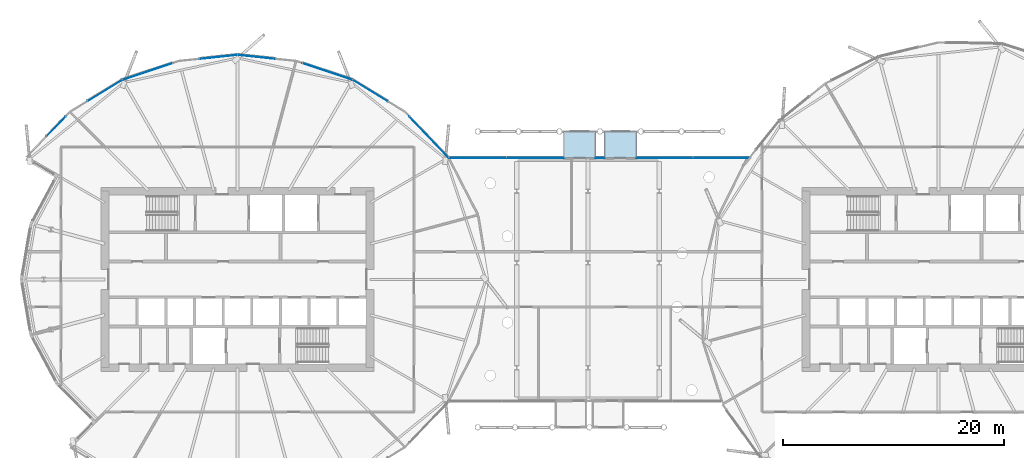
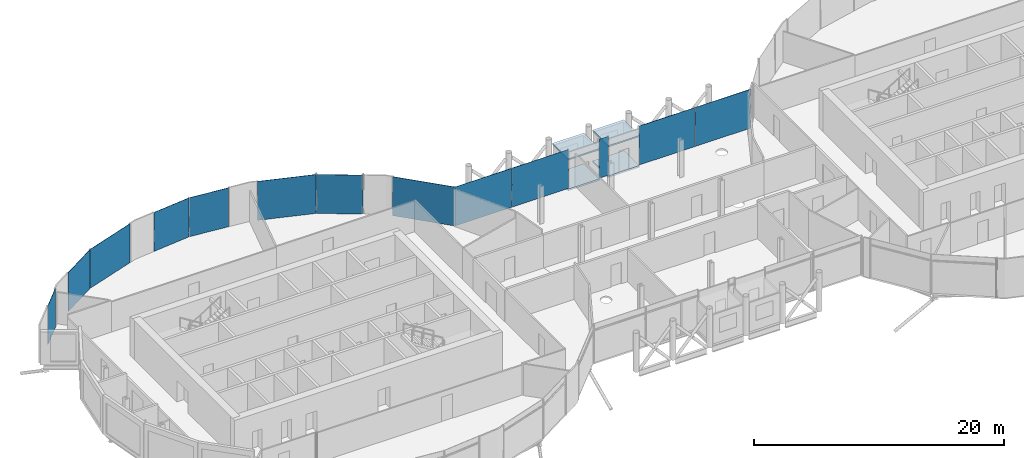
# One storey, part 21 of 39: 13 plates, 4 slabs, 2 elements without a shape of their own.
"""IFC4 building model written with IfcOpenShell, lengths in metres."""

from ifc_helpers import new_model, si_unit, direction, frame, origin, origin_2d, place, context, subcontext, project, spatial, polyline, rectangle, outline, extrude, material, layer, layer_set, type_object, element, aggregate, save


model = new_model("IFC4")

# Units and contexts
model_context = context("Model", 3, precision=1e-05, world=origin(), true_north=direction((0.0, 1.0)))
body_context = subcontext(model_context, "Body", "Model", "MODEL_VIEW")
ifc_project = project(units=[si_unit("LENGTHUNIT", "METRE"), si_unit("AREAUNIT", "SQUARE_METRE"), si_unit("VOLUMEUNIT", "CUBIC_METRE"), si_unit("PLANEANGLEUNIT", "RADIAN"), si_unit("MASSUNIT", "GRAM", prefix="KILO")], contexts=[model_context])

# Site, building, storey
site_placement = place(None, origin())
site = spatial("IfcSite", under=ifc_project, at=site_placement, CompositionType="ELEMENT")
building_placement = place(site_placement, origin())
building = spatial("IfcBuilding", under=site, at=building_placement, Name="Rimbun Link Towers", CompositionType="ELEMENT")
storey_placement = place(building_placement, frame((0.0, 0.0, 139.199951171875)))
storey = spatial("IfcBuildingStorey", under=building, at=storey_placement, Name="L33", CompositionType="ELEMENT", Elevation=139.199951171875)

# Slabs
ifc_material_1 = material(Name="Insulated metal floor panel on steel frame", Category="steel")
ifc_layer_1 = layer(ifc_material_1, 0.159912109375)
ifc_layer_set_1 = layer_set([ifc_layer_1], Name="CAPSULE floor panel 160")
slab_type_1 = type_object("IfcSlabType", Name="CAPSULE floor panel 160", PredefinedType="FLOOR", material=ifc_layer_set_1)
slab_1_placement = place(storey_placement, frame((0.0, 0.0, -0.219970703125)))
element("IfcSlab", 1, at=slab_1_placement, inside=storey, type_object=slab_type_1, Name="CAPSULE F33.01 floor panel", PredefinedType="FLOOR", context=body_context, shape_type="SweptSolid", body=[
    extrude(outline(polyline([(-2.203125, 11.0), (0.69677734375, 11.0), (0.69677734375, 13.449951171875), (-2.203125, 13.449951171875), (-2.203125, 11.0)])), origin(), (0.0, 0.0, 1.0), 0.159912109375),
])
slab_2_placement = place(storey_placement, frame((0.0, 0.0, -0.219970703125)))
element("IfcSlab", 2, at=slab_2_placement, inside=storey, type_object=slab_type_1, Name="CAPSULE F33.02 floor panel", PredefinedType="FLOOR", context=body_context, shape_type="SweptSolid", body=[
    extrude(outline(polyline([(1.48681640625, 11.0), (4.38671875, 11.0), (4.38671875, 13.449951171875), (1.48681640625, 13.449951171875), (1.48681640625, 11.0)])), origin(), (0.0, 0.0, 1.0), 0.159912109375),
])
ifc_material_2 = material(Name="Insulated metal roof panel with terracotta fascia", Category="masonry")
ifc_layer_2 = layer(ifc_material_2, 0.14990234375)
ifc_layer_set_2 = layer_set([ifc_layer_2], Name="CAPSULE roof panel 150")
slab_type_2 = type_object("IfcSlabType", Name="CAPSULE roof panel 150", PredefinedType="ROOF", material=ifc_layer_set_2)
slab_3_placement = place(storey_placement, frame((0.0, 0.0, 2.7900390625)))
element("IfcSlab", 3, at=slab_3_placement, inside=storey, type_object=slab_type_2, Name="CAPSULE F33.01 roof panel", PredefinedType="ROOF", context=body_context, shape_type="SweptSolid", body=[
    extrude(outline(polyline([(0.69677734375, 13.449951171875), (-2.203125, 13.449951171875), (-2.203125, 10.949951171875), (0.69677734375, 10.949951171875), (0.69677734375, 13.449951171875)])), origin(), (0.0, 0.0, 1.0), 0.14990234375),
])
slab_4_placement = place(storey_placement, frame((0.0, 0.0, 2.7900390625)))
element("IfcSlab", 4, at=slab_4_placement, inside=storey, type_object=slab_type_2, Name="CAPSULE F33.02 roof panel", PredefinedType="ROOF", context=body_context, shape_type="SweptSolid", body=[
    extrude(outline(polyline([(4.38671875, 13.449951171875), (1.48681640625, 13.449951171875), (1.48681640625, 10.949951171875), (4.38671875, 10.949951171875), (4.38671875, 13.449951171875)])), origin(), (0.0, 0.0, 1.0), 0.14990234375),
])

# Curtain wall, plate
ifc_material_3 = material(Name="Aluminium 6063-T6 and low-iron glass", Category="aluminium")
curtain_wall_type = type_object("IfcCurtainWallType", Name="CW4 link block wall", PredefinedType="NOTDEFINED", material=ifc_material_3)
curtain_wall_1_placement = place(storey_placement, origin())
curtain_wall_1 = element("IfcCurtainWall", 5, at=curtain_wall_1_placement, inside=storey, type_object=curtain_wall_type, Name="CW4 L33 LB", PredefinedType="NOTDEFINED")
ifc_material_4 = material(Name="Aluminium cladding, insulated panel", Category="aluminium")
ifc_layer_3 = layer(ifc_material_4, 0.028076171875)
ifc_layer_set_3 = layer_set([ifc_layer_3], Name="CW4 insulated panel Aluminium cladding 28")
plate_type_1 = type_object("IfcPlateType", Name="CW4 insulated panel Aluminium cladding 28", PredefinedType="CURTAIN_PANEL", material=ifc_layer_set_3)
plate_1_placement = place(storey_placement, frame((12.07958984375, 11.013916015625, 0.0), z_axis=(0.0, 0.0, 1.0), x_axis=(1.0, 0.0, 0.0)))
plate_1 = element("IfcPlate", 6, at=plate_1_placement, type_object=plate_type_1, Name="CW4 insulated panel", PredefinedType="CURTAIN_PANEL", context=body_context, shape_type="SweptSolid", body=[
    extrude(rectangle(XDim=5.1220703125, YDim=0.028076171875, at=origin_2d()), origin(), (0.0, 0.0, 1.0), 3.800048828125),
])

# Curtain wall, plates
curtain_wall_2_placement = place(storey_placement, origin())
curtain_wall_2 = element("IfcCurtainWall", 7, at=curtain_wall_2_placement, inside=storey, type_object=curtain_wall_type, Name="CW4 L33 T1", PredefinedType="NOTDEFINED")
ifc_material_5 = material(Name="Low-iron glass, laminated low-e unit", Category="glass")
ifc_layer_4 = layer(ifc_material_5, 0.028076171875)
ifc_layer_set_4 = layer_set([ifc_layer_4], Name="CW4 panel Low-iron glass 28")
plate_type_2 = type_object("IfcPlateType", Name="CW4 panel Low-iron glass 28", PredefinedType="CURTAIN_PANEL", material=ifc_layer_set_4)
plate_2_placement = place(storey_placement, frame((-14.419189453125, 12.90380859375, 0.0), z_axis=(0.0, 0.0, 1.0), x_axis=(0.692041109252, -0.721858090698, 0.0)))
plate_2 = element("IfcPlate", 8, at=plate_2_placement, type_object=plate_type_2, Name="CW4 panel", PredefinedType="CURTAIN_PANEL", context=body_context, shape_type="SweptSolid", body=[
    extrude(rectangle(XDim=5.12158203125, YDim=0.028076171875, at=origin_2d()), origin(), (0.0, 0.0, 1.0), 3.800048828125),
])
plate_3_placement = place(storey_placement, frame((-19.7197265625, 17.088623046875, 0.0), z_axis=(0.0, 0.0, 1.0), x_axis=(0.852194346217, -0.523225378089, 0.0)))
plate_3 = element("IfcPlate", 9, at=plate_3_placement, type_object=plate_type_2, Name="CW4 panel", PredefinedType="CURTAIN_PANEL", context=body_context, shape_type="SweptSolid", body=[
    extrude(rectangle(XDim=3.708740234375, YDim=0.028076171875, at=origin_2d()), origin(), (0.0, 0.0, 1.0), 3.800048828125),
])
plate_4_placement = place(storey_placement, frame((-23.60107421875, 18.82666015625, 0.0), z_axis=(0.0, 0.0, 1.0), x_axis=(0.949234953763, -0.314567961741, 0.0)))
plate_4 = element("IfcPlate", 10, at=plate_4_placement, type_object=plate_type_2, Name="CW4 panel", PredefinedType="CURTAIN_PANEL", context=body_context, shape_type="SweptSolid", body=[
    extrude(rectangle(XDim=4.765869140625, YDim=0.028076171875, at=origin_2d()), origin(), (0.0, 0.0, 1.0), 3.800048828125),
])
plate_5_placement = place(storey_placement, frame((-30.021484375, 20.147705078125, 0.0), z_axis=(0.0, 0.0, 1.0), x_axis=(0.994499069305, -0.104745411125, 0.0)))
plate_5 = element("IfcPlate", 11, at=plate_5_placement, type_object=plate_type_2, Name="CW4 panel", PredefinedType="CURTAIN_PANEL", context=body_context, shape_type="SweptSolid", body=[
    extrude(rectangle(XDim=3.433349609375, YDim=0.028076171875, at=origin_2d()), origin(), (0.0, 0.0, 1.0), 3.800048828125),
])
plate_6_placement = place(storey_placement, frame((-33.478515625, 20.147705078125, 0.0), z_axis=(0.0, 0.0, 1.0), x_axis=(0.994499069305, 0.104745411125, 0.0)))
plate_6 = element("IfcPlate", 12, at=plate_6_placement, type_object=plate_type_2, Name="CW4 panel", PredefinedType="CURTAIN_PANEL", context=body_context, shape_type="SweptSolid", body=[
    extrude(rectangle(XDim=3.433349609375, YDim=0.028076171875, at=origin_2d()), origin(), (0.0, 0.0, 1.0), 3.800048828125),
])
plate_7_placement = place(storey_placement, frame((-39.89892578125, 18.82666015625, 0.0), z_axis=(0.0, 0.0, 1.0), x_axis=(0.949234953763, 0.314567961741, 0.0)))
plate_7 = element("IfcPlate", 13, at=plate_7_placement, type_object=plate_type_2, Name="CW4 panel", PredefinedType="CURTAIN_PANEL", context=body_context, shape_type="SweptSolid", body=[
    extrude(rectangle(XDim=4.765869140625, YDim=0.028076171875, at=origin_2d()), origin(), (0.0, 0.0, 1.0), 3.800048828125),
])
plate_8_placement = place(storey_placement, frame((-43.7587890625, 17.101806640625, 0.0), z_axis=(0.0, 0.0, 1.0), x_axis=(0.852194346217, 0.523225378089, 0.0)))
plate_8 = element("IfcPlate", 14, at=plate_8_placement, type_object=plate_type_2, Name="CW4 panel", PredefinedType="CURTAIN_PANEL", context=body_context, shape_type="SweptSolid", body=[
    extrude(rectangle(XDim=3.658935546875, YDim=0.028076171875, at=origin_2d()), origin(), (0.0, 0.0, 1.0), 3.800048828125),
])
plate_9_placement = place(storey_placement, frame((-48.1640625, 13.8603515625, 0.0), z_axis=(0.0, 0.0, 1.0), x_axis=(0.692041109252, 0.721858090698, 0.0)))
plate_9 = element("IfcPlate", 15, at=plate_9_placement, type_object=plate_type_2, Name="CW4 panel", PredefinedType="CURTAIN_PANEL", context=body_context, shape_type="SweptSolid", body=[
    extrude(rectangle(XDim=2.471435546875, YDim=0.028076171875, at=origin_2d()), origin(), (0.0, 0.0, 1.0), 3.800048828125),
])
aggregate(curtain_wall_2, [plate_2, plate_3, plate_4, plate_5, plate_6, plate_7, plate_8, plate_9])

# Plate
plate_10_placement = place(storey_placement, frame((-10.008544921875, 11.013916015625, 0.0), z_axis=(0.0, 0.0, 1.0), x_axis=(1.0, 0.0, 0.0)))
plate_10 = element("IfcPlate", 16, at=plate_10_placement, type_object=plate_type_2, Name="CW4 panel", PredefinedType="CURTAIN_PANEL", context=body_context, shape_type="SweptSolid", body=[
    extrude(rectangle(XDim=5.197021484375, YDim=0.028076171875, at=origin_2d()), origin(), (0.0, 0.0, 1.0), 3.800048828125),
])

plate_11_placement = place(storey_placement, frame((-4.771728515625, 11.013916015625, 0.0), z_axis=(0.0, 0.0, 1.0), x_axis=(1.0, 0.0, 0.0)))
plate_11 = element("IfcPlate", 17, at=plate_11_placement, type_object=plate_type_2, Name="CW4 panel", PredefinedType="CURTAIN_PANEL", context=body_context, shape_type="SweptSolid", body=[
    extrude(rectangle(XDim=5.197021484375, YDim=0.028076171875, at=origin_2d()), origin(), (0.0, 0.0, 1.0), 3.800048828125),
])

plate_12_placement = place(storey_placement, frame((1.091796875, 11.013916015625, 0.0), z_axis=(0.0, 0.0, 1.0), x_axis=(1.0, 0.0, 0.0)))
plate_12 = element("IfcPlate", 18, at=plate_12_placement, type_object=plate_type_2, Name="CW4 panel", PredefinedType="CURTAIN_PANEL", context=body_context, shape_type="SweptSolid", body=[
    extrude(rectangle(XDim=0.849853515625, YDim=0.028076171875, at=origin_2d()), origin(), (0.0, 0.0, 1.0), 3.800048828125),
])

plate_13_placement = place(storey_placement, frame((6.917724609375, 11.013916015625, 0.0), z_axis=(0.0, 0.0, 1.0), x_axis=(1.0, 0.0, 0.0)))
plate_13 = element("IfcPlate", 19, at=plate_13_placement, type_object=plate_type_2, Name="CW4 panel", PredefinedType="CURTAIN_PANEL", context=body_context, shape_type="SweptSolid", body=[
    extrude(rectangle(XDim=5.1220703125, YDim=0.028076171875, at=origin_2d()), origin(), (0.0, 0.0, 1.0), 3.800048828125),
])

aggregate(curtain_wall_1, [plate_10, plate_11, plate_12, plate_13, plate_1])

save(model, "model.ifc")
